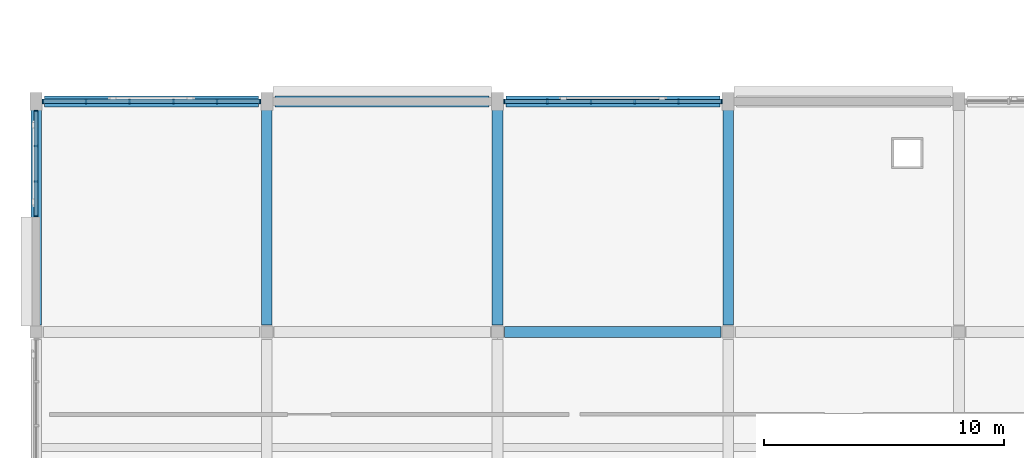
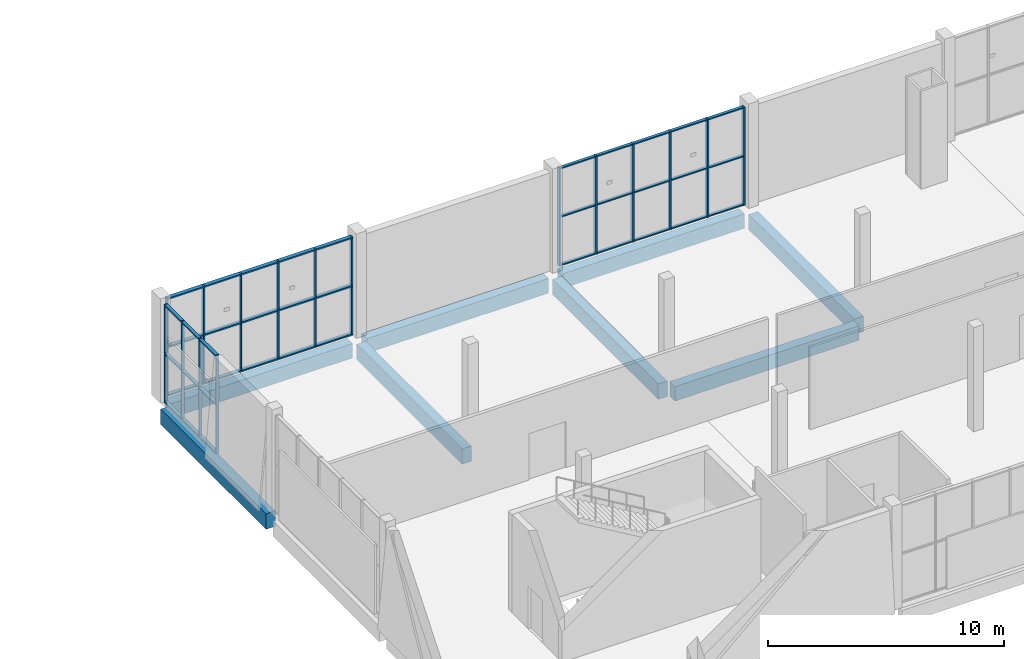
# One storey, part 8 of 83: 25 members, 8 beams, 3 elements without a shape of their own.
"""IFC4 building model written with IfcOpenShell, lengths in metres."""

from ifc_helpers import new_model, si_unit, direction, frame, origin, origin_2d, place, context, subcontext, project, spatial, rectangle, extrude, material, material_profile, profile_set, type_object, element, aggregate, save


model = new_model("IFC4")

# Units and contexts
model_context = context("Model", 3, precision=1e-05, world=origin(), true_north=direction((0.0, 1.0)))
body_context = subcontext(model_context, "Body", "Model", "MODEL_VIEW")
ifc_project = project(units=[si_unit("LENGTHUNIT", "METRE"), si_unit("AREAUNIT", "SQUARE_METRE"), si_unit("VOLUMEUNIT", "CUBIC_METRE"), si_unit("PLANEANGLEUNIT", "RADIAN"), si_unit("MASSUNIT", "GRAM", prefix="KILO")], contexts=[model_context])

# Site, building, storey
site_placement = place(None, origin())
site = spatial("IfcSite", under=ifc_project, at=site_placement, CompositionType="ELEMENT")
building_placement = place(site_placement, origin())
building = spatial("IfcBuilding", under=site, at=building_placement, Name="Shalvenor Court Art Gallery", CompositionType="ELEMENT")
storey_placement = place(building_placement, frame((0.0, 0.0, 6.0)))
storey = spatial("IfcBuildingStorey", under=building, at=storey_placement, Name="L01", CompositionType="ELEMENT", Elevation=6.0)

# Beams
ifc_material_1 = material(Name="Concrete C40/50", Category="concrete")
ifc_material_profile_1 = material_profile(ifc_material_1, rectangle(XDim=0.449951171875, YDim=0.800048828125, at=origin_2d()), Name="RC 450x800")
ifc_profile_set_1 = profile_set([ifc_material_profile_1], Name="Concrete C40/50")
beam_type_1 = type_object("IfcBeamType", Name="B-03", PredefinedType="BEAM", material=ifc_profile_set_1)
for number, where, z_axis, x_axis, name in (
    (1, (0.0, 19.5, -0.719970703125), (0.0, 1.0, 0.0), (-1.0, 0.0, 0.0), "L01 Girder BM-L01-B-03-0359"),
    (2, (9.60009765625, 19.5, -0.719970703125), (0.0, 1.0, 0.0), (-1.0, 0.0, 0.0), "L01 Girder BM-L01-B-03-0367"),
    (3, (19.199951171875, 19.5, -0.719970703125), (0.0, 1.0, 0.0), (-1.0, 0.0, 0.0), "L01 Girder BM-L01-B-03-0376"),
    (4, (28.800048828125, 19.5, -0.719970703125), (0.0, 1.0, 0.0), (-1.0, 0.0, 0.0), "L01 Girder BM-L01-B-03-0381"),
):
    element("IfcBeam", number, at=place(storey_placement, frame(where, z_axis=z_axis, x_axis=x_axis)), inside=storey, type_object=beam_type_1, Name=name, PredefinedType="BEAM", context=body_context, shape_type="SweptSolid", body=[
        extrude(rectangle(XDim=0.449951171875, YDim=0.800048828125, at=origin_2d()), origin(), (0.0, 0.0, 1.0), 8.949951171875),
    ])
ifc_material_2 = material(Name="Concrete C40/50", Category="concrete")
ifc_material_profile_2 = material_profile(ifc_material_2, rectangle(XDim=0.449951171875, YDim=0.75, at=origin_2d()), Name="RC 450x750")
ifc_profile_set_2 = profile_set([ifc_material_profile_2], Name="Concrete C40/50")
beam_type_2 = type_object("IfcBeamType", Name="B-04", PredefinedType="BEAM", material=ifc_profile_set_2)
beam_1_placement = place(storey_placement, frame((19.5, 19.199951171875, -0.695068359375), z_axis=(1.0, 0.0, 0.0), x_axis=(0.0, 1.0, 0.0)))
element("IfcBeam", 5, at=beam_1_placement, inside=storey, type_object=beam_type_2, Name="L01 Girder BM-L01-B-04-0507", PredefinedType="BEAM", context=body_context, shape_type="SweptSolid", body=[
    extrude(rectangle(XDim=0.449951171875, YDim=0.75, at=origin_2d()), origin(), (0.0, 0.0, 1.0), 9.0),
])
beam_2_placement = place(storey_placement, frame((0.35009765625, 28.800048828125, -0.695068359375), z_axis=(1.0, 0.0, 0.0), x_axis=(0.0, 1.0, 0.0)))
element("IfcBeam", 6, at=beam_2_placement, inside=storey, type_object=beam_type_2, Name="L01 Girder BM-L01-B-04-0518", PredefinedType="BEAM", context=body_context, shape_type="SweptSolid", body=[
    extrude(rectangle(XDim=0.449951171875, YDim=0.75, at=origin_2d()), origin(), (0.0, 0.0, 1.0), 8.89990234375),
])
beam_3_placement = place(storey_placement, frame((9.949951171875, 28.800048828125, -0.695068359375), z_axis=(1.0, 0.0, 0.0), x_axis=(0.0, 1.0, 0.0)))
element("IfcBeam", 7, at=beam_3_placement, inside=storey, type_object=beam_type_2, Name="L01 Girder BM-L01-B-04-0519", PredefinedType="BEAM", context=body_context, shape_type="SweptSolid", body=[
    extrude(rectangle(XDim=0.449951171875, YDim=0.75, at=origin_2d()), origin(), (0.0, 0.0, 1.0), 8.900146484375),
])
beam_4_placement = place(storey_placement, frame((19.550048828125, 28.800048828125, -0.695068359375), z_axis=(1.0, 0.0, 0.0), x_axis=(0.0, 1.0, 0.0)))
element("IfcBeam", 8, at=beam_4_placement, inside=storey, type_object=beam_type_2, Name="L01 Girder BM-L01-B-04-0520", PredefinedType="BEAM", context=body_context, shape_type="SweptSolid", body=[
    extrude(rectangle(XDim=0.449951171875, YDim=0.75, at=origin_2d()), origin(), (0.0, 0.0, 1.0), 8.89990234375),
])

# Curtain wall, members
ifc_material_3 = material(Name="Anodised aluminium and low-iron glass curtain wall", Category="aluminium")
curtain_wall_type_1 = type_object("IfcCurtainWallType", Name="CW-5x2-91-51-141", PredefinedType="USERDEFINED", material=ifc_material_3)
curtain_wall_1_placement = place(storey_placement, origin())
curtain_wall_1 = element("IfcCurtainWall", 9, at=curtain_wall_1_placement, inside=storey, type_object=curtain_wall_type_1, Name="L01 V4 Curtain Wall CW-L01-128", ObjectType="CURTAIN WALL", PredefinedType="USERDEFINED")
ifc_material_4 = material(Name="Anodised aluminium mullion", Category="aluminium")
ifc_material_profile_3 = material_profile(ifc_material_4, rectangle(XDim=0.06494140625, YDim=0.179931640625, at=origin_2d()), Name="CWM-01")
ifc_profile_set_3 = profile_set([ifc_material_profile_3], Name="Anodised aluminium mullion")
member_type_1 = type_object("IfcMemberType", Name="CWM-01", PredefinedType="MULLION", material=ifc_profile_set_3)
member_1_placement = place(storey_placement, frame((0.282470703125, 28.800048828125, 0.0), z_axis=(0.0, 0.0, 1.0), x_axis=(1.0, 0.0, 0.0)))
member_1 = element("IfcMember", 10, at=member_1_placement, type_object=member_type_1, Name="CW-5x2-91-51-141 mullion 1", PredefinedType="MULLION", context=body_context, shape_type="SweptSolid", body=[
    extrude(rectangle(XDim=0.06494140625, YDim=0.179931640625, at=origin_2d()), origin(), (0.0, 0.0, 1.0), 5.080078125),
])
member_2_placement = place(storey_placement, frame((2.070068359375, 28.800048828125, 0.0), z_axis=(0.0, 0.0, 1.0), x_axis=(1.0, 0.0, 0.0)))
member_2 = element("IfcMember", 11, at=member_2_placement, type_object=member_type_1, Name="CW-5x2-91-51-141 mullion 2", PredefinedType="MULLION", context=body_context, shape_type="SweptSolid", body=[
    extrude(rectangle(XDim=0.06494140625, YDim=0.179931640625, at=origin_2d()), origin(), (0.0, 0.0, 1.0), 5.080078125),
])
member_3_placement = place(storey_placement, frame((3.889892578125, 28.800048828125, 0.0), z_axis=(0.0, 0.0, 1.0), x_axis=(1.0, 0.0, 0.0)))
member_3 = element("IfcMember", 12, at=member_3_placement, type_object=member_type_1, Name="CW-5x2-91-51-141 mullion 3", PredefinedType="MULLION", context=body_context, shape_type="SweptSolid", body=[
    extrude(rectangle(XDim=0.06494140625, YDim=0.179931640625, at=origin_2d()), origin(), (0.0, 0.0, 1.0), 5.080078125),
])
member_4_placement = place(storey_placement, frame((5.7099609375, 28.800048828125, 0.0), z_axis=(0.0, 0.0, 1.0), x_axis=(1.0, 0.0, 0.0)))
member_4 = element("IfcMember", 13, at=member_4_placement, type_object=member_type_1, Name="CW-5x2-91-51-141 mullion 4", PredefinedType="MULLION", context=body_context, shape_type="SweptSolid", body=[
    extrude(rectangle(XDim=0.06494140625, YDim=0.179931640625, at=origin_2d()), origin(), (0.0, 0.0, 1.0), 5.080078125),
])
member_5_placement = place(storey_placement, frame((7.530029296875, 28.800048828125, 0.0), z_axis=(0.0, 0.0, 1.0), x_axis=(1.0, 0.0, 0.0)))
member_5 = element("IfcMember", 14, at=member_5_placement, type_object=member_type_1, Name="CW-5x2-91-51-141 mullion 5", PredefinedType="MULLION", context=body_context, shape_type="SweptSolid", body=[
    extrude(rectangle(XDim=0.06494140625, YDim=0.179931640625, at=origin_2d()), origin(), (0.0, 0.0, 1.0), 5.080078125),
])
member_6_placement = place(storey_placement, frame((9.3173828125, 28.800048828125, 0.0), z_axis=(0.0, 0.0, 1.0), x_axis=(1.0, 0.0, 0.0)))
member_6 = element("IfcMember", 15, at=member_6_placement, type_object=member_type_1, Name="CW-5x2-91-51-141 mullion 6", PredefinedType="MULLION", context=body_context, shape_type="SweptSolid", body=[
    extrude(rectangle(XDim=0.06494140625, YDim=0.179931640625, at=origin_2d()), origin(), (0.0, 0.0, 1.0), 5.080078125),
])

ifc_material_5 = material(Name="Anodised aluminium and low-iron glass curtain wall", Category="aluminium")
curtain_wall_type_2 = type_object("IfcCurtainWallType", Name="CW-5x2-91-51-211", PredefinedType="USERDEFINED", material=ifc_material_5)
curtain_wall_2_placement = place(storey_placement, origin())
curtain_wall_2 = element("IfcCurtainWall", 16, at=curtain_wall_2_placement, inside=storey, type_object=curtain_wall_type_2, Name="L01 V4 Curtain Wall CW-L01-129", ObjectType="CURTAIN WALL", PredefinedType="USERDEFINED")
ifc_material_6 = material(Name="Anodised aluminium mullion", Category="aluminium")
ifc_material_profile_4 = material_profile(ifc_material_6, rectangle(XDim=0.070068359375, YDim=0.199951171875, at=origin_2d()), Name="CWM-02")
ifc_profile_set_4 = profile_set([ifc_material_profile_4], Name="Anodised aluminium mullion")
member_type_2 = type_object("IfcMemberType", Name="CWM-02", PredefinedType="MULLION", material=ifc_profile_set_4)
member_7_placement = place(storey_placement, frame((19.485107421875, 28.800048828125, 0.0), z_axis=(0.0, 0.0, 1.0), x_axis=(1.0, 0.0, 0.0)))
member_7 = element("IfcMember", 17, at=member_7_placement, type_object=member_type_2, Name="CW-5x2-91-51-211 mullion 1", PredefinedType="MULLION", context=body_context, shape_type="SweptSolid", body=[
    extrude(rectangle(XDim=0.070068359375, YDim=0.199951171875, at=origin_2d()), origin(), (0.0, 0.0, 1.0), 5.080078125),
])
member_8_placement = place(storey_placement, frame((21.27001953125, 28.800048828125, 0.0), z_axis=(0.0, 0.0, 1.0), x_axis=(1.0, 0.0, 0.0)))
member_8 = element("IfcMember", 18, at=member_8_placement, type_object=member_type_2, Name="CW-5x2-91-51-211 mullion 2", PredefinedType="MULLION", context=body_context, shape_type="SweptSolid", body=[
    extrude(rectangle(XDim=0.070068359375, YDim=0.199951171875, at=origin_2d()), origin(), (0.0, 0.0, 1.0), 5.080078125),
])
member_9_placement = place(storey_placement, frame((23.090087890625, 28.800048828125, 0.0), z_axis=(0.0, 0.0, 1.0), x_axis=(1.0, 0.0, 0.0)))
member_9 = element("IfcMember", 19, at=member_9_placement, type_object=member_type_2, Name="CW-5x2-91-51-211 mullion 3", PredefinedType="MULLION", context=body_context, shape_type="SweptSolid", body=[
    extrude(rectangle(XDim=0.070068359375, YDim=0.199951171875, at=origin_2d()), origin(), (0.0, 0.0, 1.0), 5.080078125),
])
member_10_placement = place(storey_placement, frame((24.909912109375, 28.800048828125, 0.0), z_axis=(0.0, 0.0, 1.0), x_axis=(1.0, 0.0, 0.0)))
member_10 = element("IfcMember", 20, at=member_10_placement, type_object=member_type_2, Name="CW-5x2-91-51-211 mullion 4", PredefinedType="MULLION", context=body_context, shape_type="SweptSolid", body=[
    extrude(rectangle(XDim=0.070068359375, YDim=0.199951171875, at=origin_2d()), origin(), (0.0, 0.0, 1.0), 5.080078125),
])
member_11_placement = place(storey_placement, frame((26.72998046875, 28.800048828125, 0.0), z_axis=(0.0, 0.0, 1.0), x_axis=(1.0, 0.0, 0.0)))
member_11 = element("IfcMember", 21, at=member_11_placement, type_object=member_type_2, Name="CW-5x2-91-51-211 mullion 5", PredefinedType="MULLION", context=body_context, shape_type="SweptSolid", body=[
    extrude(rectangle(XDim=0.070068359375, YDim=0.199951171875, at=origin_2d()), origin(), (0.0, 0.0, 1.0), 5.080078125),
])
member_12_placement = place(storey_placement, frame((28.514892578125, 28.800048828125, 0.0), z_axis=(0.0, 0.0, 1.0), x_axis=(1.0, 0.0, 0.0)))
member_12 = element("IfcMember", 22, at=member_12_placement, type_object=member_type_2, Name="CW-5x2-91-51-211 mullion 6", PredefinedType="MULLION", context=body_context, shape_type="SweptSolid", body=[
    extrude(rectangle(XDim=0.070068359375, YDim=0.199951171875, at=origin_2d()), origin(), (0.0, 0.0, 1.0), 5.080078125),
])

ifc_material_7 = material(Name="Anodised aluminium and low-iron glass curtain wall", Category="aluminium")
curtain_wall_type_3 = type_object("IfcCurtainWallType", Name="CW-3x2-44-51-621", PredefinedType="USERDEFINED", material=ifc_material_7)
curtain_wall_3_placement = place(storey_placement, origin())
curtain_wall_3 = element("IfcCurtainWall", 23, at=curtain_wall_3_placement, inside=storey, type_object=curtain_wall_type_3, Name="L01 V4 Curtain Wall CW-L01-139", ObjectType="CURTAIN WALL", PredefinedType="USERDEFINED")
ifc_material_8 = material(Name="Anodised aluminium mullion", Category="aluminium")
ifc_material_profile_5 = material_profile(ifc_material_8, rectangle(XDim=0.054931640625, YDim=0.139892578125, at=origin_2d()), Name="CWM-06")
ifc_profile_set_5 = profile_set([ifc_material_profile_5], Name="Anodised aluminium mullion")
member_type_3 = type_object("IfcMemberType", Name="CWM-06", PredefinedType="MULLION", material=ifc_profile_set_5)
member_13_placement = place(storey_placement, frame((0.0, 24.027587890625, 0.0), z_axis=(0.0, 0.0, 1.0), x_axis=(0.0, 1.0, 0.0)))
member_13 = element("IfcMember", 24, at=member_13_placement, type_object=member_type_3, Name="CW-3x2-44-51-621 mullion 1", PredefinedType="MULLION", context=body_context, shape_type="SweptSolid", body=[
    extrude(rectangle(XDim=0.054931640625, YDim=0.139892578125, at=origin_2d()), origin(), (0.0, 0.0, 1.0), 5.080078125),
])
member_14_placement = place(storey_placement, frame((0.0, 25.47509765625, 0.0), z_axis=(0.0, 0.0, 1.0), x_axis=(0.0, 1.0, 0.0)))
member_14 = element("IfcMember", 25, at=member_14_placement, type_object=member_type_3, Name="CW-3x2-44-51-621 mullion 2", PredefinedType="MULLION", context=body_context, shape_type="SweptSolid", body=[
    extrude(rectangle(XDim=0.054931640625, YDim=0.139892578125, at=origin_2d()), origin(), (0.0, 0.0, 1.0), 5.080078125),
])
member_15_placement = place(storey_placement, frame((0.0, 26.949951171875, 0.0), z_axis=(0.0, 0.0, 1.0), x_axis=(0.0, 1.0, 0.0)))
member_15 = element("IfcMember", 26, at=member_15_placement, type_object=member_type_3, Name="CW-3x2-44-51-621 mullion 3", PredefinedType="MULLION", context=body_context, shape_type="SweptSolid", body=[
    extrude(rectangle(XDim=0.054931640625, YDim=0.139892578125, at=origin_2d()), origin(), (0.0, 0.0, 1.0), 5.080078125),
])
member_16_placement = place(storey_placement, frame((0.0, 28.3974609375, 0.0), z_axis=(0.0, 0.0, 1.0), x_axis=(0.0, 1.0, 0.0)))
member_16 = element("IfcMember", 27, at=member_16_placement, type_object=member_type_3, Name="CW-3x2-44-51-621 mullion 4", PredefinedType="MULLION", context=body_context, shape_type="SweptSolid", body=[
    extrude(rectangle(XDim=0.054931640625, YDim=0.139892578125, at=origin_2d()), origin(), (0.0, 0.0, 1.0), 5.080078125),
])

# Member
ifc_material_9 = material(Name="Anodised aluminium transom", Category="aluminium")
ifc_material_profile_6 = material_profile(ifc_material_9, rectangle(XDim=0.14990234375, YDim=0.06005859375, at=origin_2d()), Name="CWT-01")
ifc_profile_set_6 = profile_set([ifc_material_profile_6], Name="Anodised aluminium transom")
member_type_4 = type_object("IfcMemberType", Name="CWT-01", PredefinedType="USERDEFINED", material=ifc_profile_set_6)
member_17_placement = place(storey_placement, frame((19.485107421875, 28.800048828125, 0.030029296875), z_axis=(1.0, 0.0, 0.0), x_axis=(0.0, 1.0, 0.0)))
member_17 = element("IfcMember", 28, at=member_17_placement, type_object=member_type_4, Name="CW-5x2-91-51-211 transom 1", ObjectType="TRANSOM", PredefinedType="USERDEFINED", context=body_context, shape_type="SweptSolid", body=[
    extrude(rectangle(XDim=0.14990234375, YDim=0.06005859375, at=origin_2d()), origin(), (0.0, 0.0, 1.0), 9.02978515625),
])

member_18_placement = place(storey_placement, frame((19.485107421875, 28.800048828125, 2.5400390625), z_axis=(1.0, 0.0, 0.0), x_axis=(0.0, 1.0, 0.0)))
member_18 = element("IfcMember", 29, at=member_18_placement, type_object=member_type_4, Name="CW-5x2-91-51-211 transom 2", ObjectType="TRANSOM", PredefinedType="USERDEFINED", context=body_context, shape_type="SweptSolid", body=[
    extrude(rectangle(XDim=0.14990234375, YDim=0.06005859375, at=origin_2d()), origin(), (0.0, 0.0, 1.0), 9.02978515625),
])

member_19_placement = place(storey_placement, frame((19.485107421875, 28.800048828125, 5.050048828125), z_axis=(1.0, 0.0, 0.0), x_axis=(0.0, 1.0, 0.0)))
member_19 = element("IfcMember", 30, at=member_19_placement, type_object=member_type_4, Name="CW-5x2-91-51-211 transom 3", ObjectType="TRANSOM", PredefinedType="USERDEFINED", context=body_context, shape_type="SweptSolid", body=[
    extrude(rectangle(XDim=0.14990234375, YDim=0.06005859375, at=origin_2d()), origin(), (0.0, 0.0, 1.0), 9.02978515625),
])

aggregate(curtain_wall_2, [member_7, member_8, member_9, member_10, member_11, member_12, member_17, member_18, member_19])

ifc_material_10 = material(Name="Anodised aluminium transom", Category="aluminium")
ifc_material_profile_7 = material_profile(ifc_material_10, rectangle(XDim=0.169921875, YDim=0.06494140625, at=origin_2d()), Name="CWT-02")
ifc_profile_set_7 = profile_set([ifc_material_profile_7], Name="Anodised aluminium transom")
member_type_5 = type_object("IfcMemberType", Name="CWT-02", PredefinedType="USERDEFINED", material=ifc_profile_set_7)
member_20_placement = place(storey_placement, frame((0.0, 24.027587890625, 0.032470703125), z_axis=(0.0, 1.0, 0.0), x_axis=(-1.0, 0.0, 0.0)))
member_20 = element("IfcMember", 31, at=member_20_placement, type_object=member_type_5, Name="CW-3x2-44-51-621 transom 1", ObjectType="TRANSOM", PredefinedType="USERDEFINED", context=body_context, shape_type="SweptSolid", body=[
    extrude(rectangle(XDim=0.169921875, YDim=0.06494140625, at=origin_2d()), origin(), (0.0, 0.0, 1.0), 4.369873046875),
])

member_21_placement = place(storey_placement, frame((0.0, 24.027587890625, 2.5400390625), z_axis=(0.0, 1.0, 0.0), x_axis=(-1.0, 0.0, 0.0)))
member_21 = element("IfcMember", 32, at=member_21_placement, type_object=member_type_5, Name="CW-3x2-44-51-621 transom 2", ObjectType="TRANSOM", PredefinedType="USERDEFINED", context=body_context, shape_type="SweptSolid", body=[
    extrude(rectangle(XDim=0.169921875, YDim=0.06494140625, at=origin_2d()), origin(), (0.0, 0.0, 1.0), 4.369873046875),
])

member_22_placement = place(storey_placement, frame((0.0, 24.027587890625, 5.047607421875), z_axis=(0.0, 1.0, 0.0), x_axis=(-1.0, 0.0, 0.0)))
member_22 = element("IfcMember", 33, at=member_22_placement, type_object=member_type_5, Name="CW-3x2-44-51-621 transom 3", ObjectType="TRANSOM", PredefinedType="USERDEFINED", context=body_context, shape_type="SweptSolid", body=[
    extrude(rectangle(XDim=0.169921875, YDim=0.06494140625, at=origin_2d()), origin(), (0.0, 0.0, 1.0), 4.369873046875),
])

aggregate(curtain_wall_3, [member_13, member_14, member_15, member_16, member_20, member_21, member_22])

ifc_material_11 = material(Name="Anodised aluminium transom", Category="aluminium")
ifc_material_profile_8 = material_profile(ifc_material_11, rectangle(XDim=0.18994140625, YDim=0.070068359375, at=origin_2d()), Name="CWT-04")
ifc_profile_set_8 = profile_set([ifc_material_profile_8], Name="Anodised aluminium transom")
member_type_6 = type_object("IfcMemberType", Name="CWT-04", PredefinedType="USERDEFINED", material=ifc_profile_set_8)
member_23_placement = place(storey_placement, frame((0.282470703125, 28.800048828125, 0.034912109375), z_axis=(1.0, 0.0, 0.0), x_axis=(0.0, 1.0, 0.0)))
member_23 = element("IfcMember", 34, at=member_23_placement, type_object=member_type_6, Name="CW-5x2-91-51-141 transom 1", ObjectType="TRANSOM", PredefinedType="USERDEFINED", context=body_context, shape_type="SweptSolid", body=[
    extrude(rectangle(XDim=0.18994140625, YDim=0.070068359375, at=origin_2d()), origin(), (0.0, 0.0, 1.0), 9.034912109375),
])

member_24_placement = place(storey_placement, frame((0.282470703125, 28.800048828125, 2.5400390625), z_axis=(1.0, 0.0, 0.0), x_axis=(0.0, 1.0, 0.0)))
member_24 = element("IfcMember", 35, at=member_24_placement, type_object=member_type_6, Name="CW-5x2-91-51-141 transom 2", ObjectType="TRANSOM", PredefinedType="USERDEFINED", context=body_context, shape_type="SweptSolid", body=[
    extrude(rectangle(XDim=0.18994140625, YDim=0.070068359375, at=origin_2d()), origin(), (0.0, 0.0, 1.0), 9.034912109375),
])

member_25_placement = place(storey_placement, frame((0.282470703125, 28.800048828125, 5.044921875), z_axis=(1.0, 0.0, 0.0), x_axis=(0.0, 1.0, 0.0)))
member_25 = element("IfcMember", 36, at=member_25_placement, type_object=member_type_6, Name="CW-5x2-91-51-141 transom 3", ObjectType="TRANSOM", PredefinedType="USERDEFINED", context=body_context, shape_type="SweptSolid", body=[
    extrude(rectangle(XDim=0.18994140625, YDim=0.070068359375, at=origin_2d()), origin(), (0.0, 0.0, 1.0), 9.034912109375),
])

aggregate(curtain_wall_1, [member_1, member_2, member_3, member_4, member_5, member_6, member_23, member_24, member_25])

save(model, "model.ifc")
